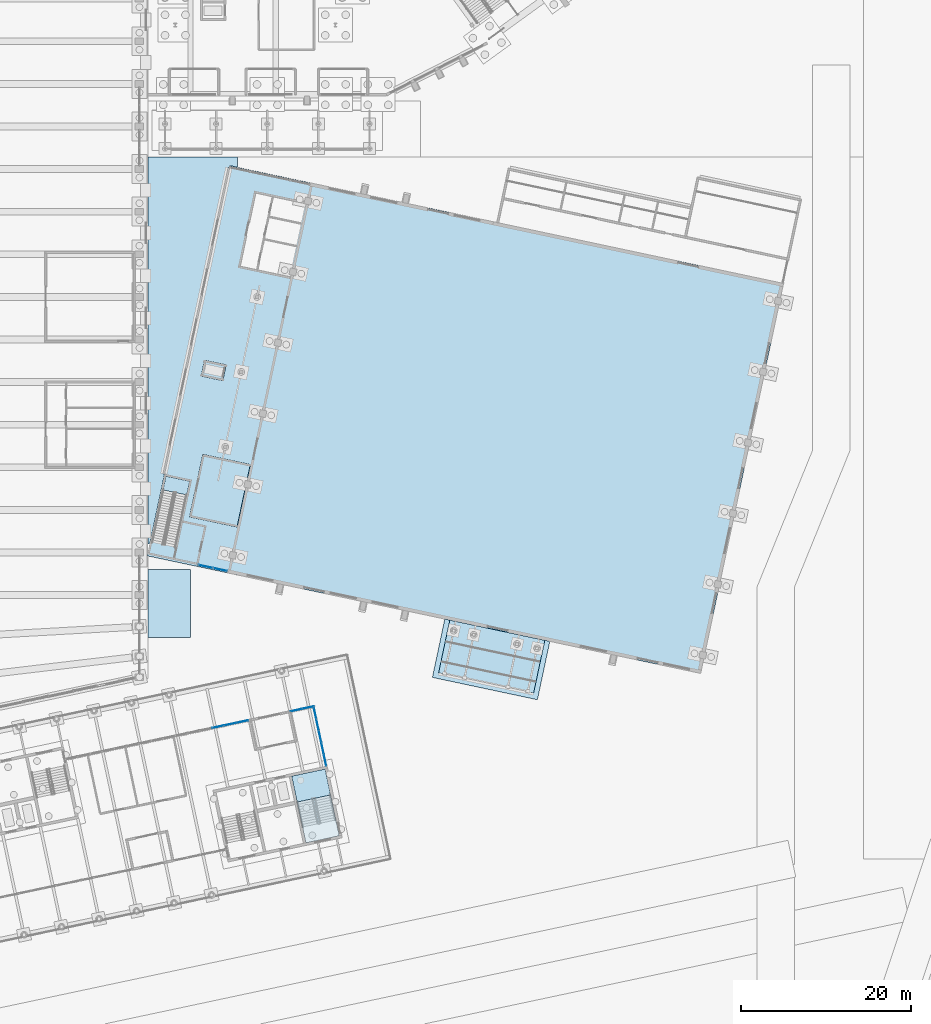
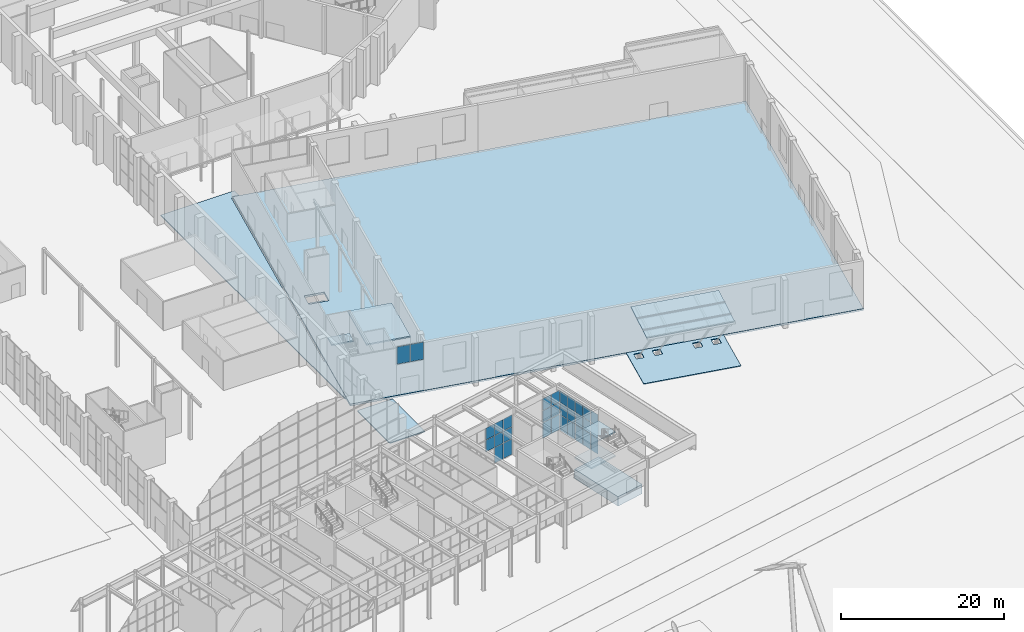
# One storey, part 155 of 239: 31 plates, 11 slabs, 6 elements without a shape of their own.
"""IFC4 building model written with IfcOpenShell, lengths in metres."""

from ifc_helpers import new_model, si_unit, direction, frame, origin, origin_2d, place, context, subcontext, project, spatial, polyline, rectangle, outline, extrude, material, layer, layer_set, type_object, element, aggregate, save


model = new_model("IFC4")

# Units and contexts
model_context = context("Model", 3, precision=1e-05, world=origin(), true_north=direction((0.0, 1.0)))
body_context = subcontext(model_context, "Body", "Model", "MODEL_VIEW")
ifc_project = project(units=[si_unit("LENGTHUNIT", "METRE"), si_unit("AREAUNIT", "SQUARE_METRE"), si_unit("VOLUMEUNIT", "CUBIC_METRE"), si_unit("PLANEANGLEUNIT", "RADIAN"), si_unit("MASSUNIT", "GRAM", prefix="KILO")], contexts=[model_context])

# Site, building, storey
site_placement = place(None, origin())
site = spatial("IfcSite", under=ifc_project, at=site_placement, CompositionType="ELEMENT")
building_placement = place(site_placement, origin())
building = spatial("IfcBuilding", under=site, at=building_placement, Name="Okhra Congress Centre", CompositionType="ELEMENT")
storey_placement = place(building_placement, origin())
storey = spatial("IfcBuildingStorey", under=building, at=storey_placement, Name="L00", CompositionType="ELEMENT", Elevation=0.0)

# Curtain wall, plates
ifc_material_1 = material(Name="Aluminium curtain wall, triple glazing", Category="aluminium")
curtain_wall_type_1 = type_object("IfcCurtainWallType", Name="Curtain wall 1775 module", PredefinedType="NOTDEFINED", material=ifc_material_1)
curtain_wall_1_placement = place(storey_placement, origin())
curtain_wall_1 = element("IfcCurtainWall", 1, at=curtain_wall_1_placement, inside=storey, type_object=curtain_wall_type_1, Name="Foyer south glazing above the doors", PredefinedType="NOTDEFINED")
ifc_material_2 = material(Name="Triple glazing unit, low-e coating, argon fill", Category="glass")
ifc_layer_1 = layer(ifc_material_2, 0.028076171875)
ifc_layer_set_1 = layer_set([ifc_layer_1], Name="Curtain wall glazing unit 28")
plate_type = type_object("IfcPlateType", Name="Curtain wall glazing unit 28", PredefinedType="CURTAIN_PANEL", material=ifc_layer_set_1)
plate_1_placement = place(storey_placement, frame((196.759033203125, 94.35888671875, 4.56005859375), z_axis=(0.0, 0.0, 1.0), x_axis=(0.978147600734, -0.207911690818, 0.0)))
plate_1 = element("IfcPlate", 2, at=plate_1_placement, type_object=plate_type, Name="CW5 panel 1.1", PredefinedType="CURTAIN_PANEL", context=body_context, shape_type="SweptSolid", body=[
    extrude(rectangle(XDim=1.68505859375, YDim=0.028076171875, at=origin_2d()), origin(), (0.0, 0.0, 1.0), 2.580078125),
])
plate_2_placement = place(storey_placement, frame((198.4658203125, 93.99609375, 4.56005859375), z_axis=(0.0, 0.0, 1.0), x_axis=(0.978147600734, -0.207911690818, 0.0)))
plate_2 = element("IfcPlate", 3, at=plate_2_placement, type_object=plate_type, Name="CW5 panel 2.1", PredefinedType="CURTAIN_PANEL", context=body_context, shape_type="SweptSolid", body=[
    extrude(rectangle(XDim=1.68505859375, YDim=0.028076171875, at=origin_2d()), origin(), (0.0, 0.0, 1.0), 2.580078125),
])
aggregate(curtain_wall_1, [plate_1, plate_2])

curtain_wall_type_2 = type_object("IfcCurtainWallType", Name="Curtain wall 1500 module", PredefinedType="NOTDEFINED", material=ifc_material_1)
curtain_wall_2_placement = place(storey_placement, origin())
curtain_wall_2 = element("IfcCurtainWall", 4, at=curtain_wall_2_placement, inside=storey, type_object=curtain_wall_type_2, Name="Ground curtain wall N10", PredefinedType="NOTDEFINED")
plate_3_placement = place(storey_placement, frame((198.21630859375, 75.5458984375, 2.43017578125), z_axis=(0.0, 0.0, 1.0), x_axis=(0.978147600734, 0.207911690818, 0.0)))
plate_3 = element("IfcPlate", 5, at=plate_3_placement, type_object=plate_type, Name="CW7 panel 13.2", PredefinedType="CURTAIN_PANEL", context=body_context, shape_type="SweptSolid", body=[
    extrude(rectangle(XDim=1.404052734375, YDim=0.028076171875, at=origin_2d()), origin(), (0.0, 0.0, 1.0), 1.739990234375),
])
plate_4_placement = place(storey_placement, frame((198.21630859375, 75.5458984375, 4.22998046875), z_axis=(0.0, 0.0, 1.0), x_axis=(0.978147600734, 0.207911690818, 0.0)))
plate_4 = element("IfcPlate", 6, at=plate_4_placement, type_object=plate_type, Name="CW7 panel 13.3", PredefinedType="CURTAIN_PANEL", context=body_context, shape_type="SweptSolid", body=[
    extrude(rectangle(XDim=1.404052734375, YDim=0.028076171875, at=origin_2d()), origin(), (0.0, 0.0, 1.0), 1.760009765625),
])
plate_5_placement = place(storey_placement, frame((199.6484375, 75.850341796875, 0.06005859375), z_axis=(0.0, 0.0, 1.0), x_axis=(0.978147600734, 0.207911690818, 0.0)))
plate_5 = element("IfcPlate", 7, at=plate_5_placement, type_object=plate_type, Name="CW7 panel 14.1", PredefinedType="CURTAIN_PANEL", context=body_context, shape_type="SweptSolid", body=[
    extrude(rectangle(XDim=1.404052734375, YDim=0.028076171875, at=origin_2d()), origin(), (0.0, 0.0, 1.0), 2.31005859375),
])
plate_6_placement = place(storey_placement, frame((199.6484375, 75.850341796875, 2.43017578125), z_axis=(0.0, 0.0, 1.0), x_axis=(0.978147600734, 0.207911690818, 0.0)))
plate_6 = element("IfcPlate", 8, at=plate_6_placement, type_object=plate_type, Name="CW7 panel 14.2", PredefinedType="CURTAIN_PANEL", context=body_context, shape_type="SweptSolid", body=[
    extrude(rectangle(XDim=1.404052734375, YDim=0.028076171875, at=origin_2d()), origin(), (0.0, 0.0, 1.0), 1.739990234375),
])
plate_7_placement = place(storey_placement, frame((199.6484375, 75.850341796875, 4.22998046875), z_axis=(0.0, 0.0, 1.0), x_axis=(0.978147600734, 0.207911690818, 0.0)))
plate_7 = element("IfcPlate", 9, at=plate_7_placement, type_object=plate_type, Name="CW7 panel 14.3", PredefinedType="CURTAIN_PANEL", context=body_context, shape_type="SweptSolid", body=[
    extrude(rectangle(XDim=1.404052734375, YDim=0.028076171875, at=origin_2d()), origin(), (0.0, 0.0, 1.0), 1.760009765625),
])
plate_8_placement = place(storey_placement, frame((201.065673828125, 76.151611328125, 0.06005859375), z_axis=(0.0, 0.0, 1.0), x_axis=(0.978147600734, 0.207911690818, 0.0)))
plate_8 = element("IfcPlate", 10, at=plate_8_placement, type_object=plate_type, Name="CW7 panel 15.1", PredefinedType="CURTAIN_PANEL", context=body_context, shape_type="SweptSolid", body=[
    extrude(rectangle(XDim=1.3740234375, YDim=0.028076171875, at=origin_2d()), origin(), (0.0, 0.0, 1.0), 2.31005859375),
])
plate_9_placement = place(storey_placement, frame((201.065673828125, 76.151611328125, 2.43017578125), z_axis=(0.0, 0.0, 1.0), x_axis=(0.978147600734, 0.207911690818, 0.0)))
plate_9 = element("IfcPlate", 11, at=plate_9_placement, type_object=plate_type, Name="CW7 panel 15.2", PredefinedType="CURTAIN_PANEL", context=body_context, shape_type="SweptSolid", body=[
    extrude(rectangle(XDim=1.3740234375, YDim=0.028076171875, at=origin_2d()), origin(), (0.0, 0.0, 1.0), 1.739990234375),
])
plate_10_placement = place(storey_placement, frame((201.065673828125, 76.151611328125, 4.22998046875), z_axis=(0.0, 0.0, 1.0), x_axis=(0.978147600734, 0.207911690818, 0.0)))
plate_10 = element("IfcPlate", 12, at=plate_10_placement, type_object=plate_type, Name="CW7 panel 15.3", PredefinedType="CURTAIN_PANEL", context=body_context, shape_type="SweptSolid", body=[
    extrude(rectangle(XDim=1.3740234375, YDim=0.028076171875, at=origin_2d()), origin(), (0.0, 0.0, 1.0), 1.760009765625),
])
aggregate(curtain_wall_2, [plate_3, plate_4, plate_5, plate_6, plate_7, plate_8, plate_9, plate_10])

curtain_wall_3_placement = place(storey_placement, origin())
curtain_wall_3 = element("IfcCurtainWall", 13, at=curtain_wall_3_placement, inside=storey, type_object=curtain_wall_type_2, Name="Ground curtain wall N11", PredefinedType="NOTDEFINED")
plate_11_placement = place(storey_placement, frame((207.410888671875, 77.500244140625, 0.06005859375), z_axis=(0.0, 0.0, 1.0), x_axis=(0.978147600734, 0.207911690818, 0.0)))
plate_11 = element("IfcPlate", 14, at=plate_11_placement, type_object=plate_type, Name="CW7 panel 1.1", PredefinedType="CURTAIN_PANEL", context=body_context, shape_type="SweptSolid", body=[
    extrude(rectangle(XDim=1.360107421875, YDim=0.028076171875, at=origin_2d()), origin(), (0.0, 0.0, 1.0), 2.31005859375),
])
plate_12_placement = place(storey_placement, frame((207.410888671875, 77.500244140625, 2.43017578125), z_axis=(0.0, 0.0, 1.0), x_axis=(0.978147600734, 0.207911690818, 0.0)))
plate_12 = element("IfcPlate", 15, at=plate_12_placement, type_object=plate_type, Name="CW7 panel 1.2", PredefinedType="CURTAIN_PANEL", context=body_context, shape_type="SweptSolid", body=[
    extrude(rectangle(XDim=1.360107421875, YDim=0.028076171875, at=origin_2d()), origin(), (0.0, 0.0, 1.0), 1.739990234375),
])
plate_13_placement = place(storey_placement, frame((207.410888671875, 77.500244140625, 4.22998046875), z_axis=(0.0, 0.0, 1.0), x_axis=(0.978147600734, 0.207911690818, 0.0)))
plate_13 = element("IfcPlate", 16, at=plate_13_placement, type_object=plate_type, Name="CW7 panel 1.3", PredefinedType="CURTAIN_PANEL", context=body_context, shape_type="SweptSolid", body=[
    extrude(rectangle(XDim=1.360107421875, YDim=0.028076171875, at=origin_2d()), origin(), (0.0, 0.0, 1.0), 1.760009765625),
])
plate_14_placement = place(storey_placement, frame((208.7998046875, 77.79541015625, 0.06005859375), z_axis=(0.0, 0.0, 1.0), x_axis=(0.978147600734, 0.207911690818, 0.0)))
plate_14 = element("IfcPlate", 17, at=plate_14_placement, type_object=plate_type, Name="CW7 panel 2.1", PredefinedType="CURTAIN_PANEL", context=body_context, shape_type="SweptSolid", body=[
    extrude(rectangle(XDim=1.360107421875, YDim=0.028076171875, at=origin_2d()), origin(), (0.0, 0.0, 1.0), 2.31005859375),
])
plate_15_placement = place(storey_placement, frame((208.7998046875, 77.79541015625, 2.43017578125), z_axis=(0.0, 0.0, 1.0), x_axis=(0.978147600734, 0.207911690818, 0.0)))
plate_15 = element("IfcPlate", 18, at=plate_15_placement, type_object=plate_type, Name="CW7 panel 2.2", PredefinedType="CURTAIN_PANEL", context=body_context, shape_type="SweptSolid", body=[
    extrude(rectangle(XDim=1.360107421875, YDim=0.028076171875, at=origin_2d()), origin(), (0.0, 0.0, 1.0), 1.739990234375),
])
plate_16_placement = place(storey_placement, frame((208.7998046875, 77.79541015625, 4.22998046875), z_axis=(0.0, 0.0, 1.0), x_axis=(0.978147600734, 0.207911690818, 0.0)))
plate_16 = element("IfcPlate", 19, at=plate_16_placement, type_object=plate_type, Name="CW7 panel 2.3", PredefinedType="CURTAIN_PANEL", context=body_context, shape_type="SweptSolid", body=[
    extrude(rectangle(XDim=1.360107421875, YDim=0.028076171875, at=origin_2d()), origin(), (0.0, 0.0, 1.0), 1.760009765625),
])
aggregate(curtain_wall_3, [plate_11, plate_12, plate_13, plate_14, plate_15, plate_16])

curtain_wall_4_placement = place(storey_placement, origin())
curtain_wall_4 = element("IfcCurtainWall", 20, at=curtain_wall_4_placement, inside=storey, type_object=curtain_wall_type_2, Name="Ground curtain wall E13", PredefinedType="NOTDEFINED")
plate_17_placement = place(storey_placement, frame((210.78564453125, 71.62744140625, 0.06005859375), z_axis=(0.0, 0.0, 1.0), x_axis=(-0.207911690818, 0.978147600734, 0.0)))
plate_17 = element("IfcPlate", 21, at=plate_17_placement, type_object=plate_type, Name="CW7 panel 1.1", PredefinedType="CURTAIN_PANEL", context=body_context, shape_type="SweptSolid", body=[
    extrude(rectangle(XDim=1.327880859375, YDim=0.028076171875, at=origin_2d()), origin(), (0.0, 0.0, 1.0), 2.31005859375),
])
plate_18_placement = place(storey_placement, frame((210.78564453125, 71.62744140625, 2.43017578125), z_axis=(0.0, 0.0, 1.0), x_axis=(-0.207911690818, 0.978147600734, 0.0)))
plate_18 = element("IfcPlate", 22, at=plate_18_placement, type_object=plate_type, Name="CW7 panel 1.2", PredefinedType="CURTAIN_PANEL", context=body_context, shape_type="SweptSolid", body=[
    extrude(rectangle(XDim=1.327880859375, YDim=0.028076171875, at=origin_2d()), origin(), (0.0, 0.0, 1.0), 1.739990234375),
])
plate_19_placement = place(storey_placement, frame((210.78564453125, 71.62744140625, 4.22998046875), z_axis=(0.0, 0.0, 1.0), x_axis=(-0.207911690818, 0.978147600734, 0.0)))
plate_19 = element("IfcPlate", 23, at=plate_19_placement, type_object=plate_type, Name="CW7 panel 1.3", PredefinedType="CURTAIN_PANEL", context=body_context, shape_type="SweptSolid", body=[
    extrude(rectangle(XDim=1.327880859375, YDim=0.028076171875, at=origin_2d()), origin(), (0.0, 0.0, 1.0), 1.760009765625),
])
plate_20_placement = place(storey_placement, frame((210.493896484375, 72.999755859375, 0.06005859375), z_axis=(0.0, 0.0, 1.0), x_axis=(-0.207911690818, 0.978147600734, 0.0)))
plate_20 = element("IfcPlate", 24, at=plate_20_placement, type_object=plate_type, Name="CW7 panel 2.1", PredefinedType="CURTAIN_PANEL", context=body_context, shape_type="SweptSolid", body=[
    extrude(rectangle(XDim=1.35791015625, YDim=0.028076171875, at=origin_2d()), origin(), (0.0, 0.0, 1.0), 2.31005859375),
])
plate_21_placement = place(storey_placement, frame((210.493896484375, 72.999755859375, 2.43017578125), z_axis=(0.0, 0.0, 1.0), x_axis=(-0.207911690818, 0.978147600734, 0.0)))
plate_21 = element("IfcPlate", 25, at=plate_21_placement, type_object=plate_type, Name="CW7 panel 2.2", PredefinedType="CURTAIN_PANEL", context=body_context, shape_type="SweptSolid", body=[
    extrude(rectangle(XDim=1.35791015625, YDim=0.028076171875, at=origin_2d()), origin(), (0.0, 0.0, 1.0), 1.739990234375),
])
plate_22_placement = place(storey_placement, frame((210.493896484375, 72.999755859375, 4.22998046875), z_axis=(0.0, 0.0, 1.0), x_axis=(-0.207911690818, 0.978147600734, 0.0)))
plate_22 = element("IfcPlate", 26, at=plate_22_placement, type_object=plate_type, Name="CW7 panel 2.3", PredefinedType="CURTAIN_PANEL", context=body_context, shape_type="SweptSolid", body=[
    extrude(rectangle(XDim=1.35791015625, YDim=0.028076171875, at=origin_2d()), origin(), (0.0, 0.0, 1.0), 1.760009765625),
])
plate_23_placement = place(storey_placement, frame((210.19921875, 74.386962890625, 0.06005859375), z_axis=(0.0, 0.0, 1.0), x_axis=(-0.207911690818, 0.978147600734, 0.0)))
plate_23 = element("IfcPlate", 27, at=plate_23_placement, type_object=plate_type, Name="CW7 panel 3.1", PredefinedType="CURTAIN_PANEL", context=body_context, shape_type="SweptSolid", body=[
    extrude(rectangle(XDim=1.35791015625, YDim=0.028076171875, at=origin_2d()), origin(), (0.0, 0.0, 1.0), 2.31005859375),
])
plate_24_placement = place(storey_placement, frame((210.19921875, 74.386962890625, 2.43017578125), z_axis=(0.0, 0.0, 1.0), x_axis=(-0.207911690818, 0.978147600734, 0.0)))
plate_24 = element("IfcPlate", 28, at=plate_24_placement, type_object=plate_type, Name="CW7 panel 3.2", PredefinedType="CURTAIN_PANEL", context=body_context, shape_type="SweptSolid", body=[
    extrude(rectangle(XDim=1.35791015625, YDim=0.028076171875, at=origin_2d()), origin(), (0.0, 0.0, 1.0), 1.739990234375),
])
plate_25_placement = place(storey_placement, frame((210.19921875, 74.386962890625, 4.22998046875), z_axis=(0.0, 0.0, 1.0), x_axis=(-0.207911690818, 0.978147600734, 0.0)))
plate_25 = element("IfcPlate", 29, at=plate_25_placement, type_object=plate_type, Name="CW7 panel 3.3", PredefinedType="CURTAIN_PANEL", context=body_context, shape_type="SweptSolid", body=[
    extrude(rectangle(XDim=1.35791015625, YDim=0.028076171875, at=origin_2d()), origin(), (0.0, 0.0, 1.0), 1.760009765625),
])
plate_26_placement = place(storey_placement, frame((209.904296875, 75.77392578125, 0.06005859375), z_axis=(0.0, 0.0, 1.0), x_axis=(-0.207911690818, 0.978147600734, 0.0)))
plate_26 = element("IfcPlate", 30, at=plate_26_placement, type_object=plate_type, Name="CW7 panel 4.1", PredefinedType="CURTAIN_PANEL", context=body_context, shape_type="SweptSolid", body=[
    extrude(rectangle(XDim=1.35791015625, YDim=0.028076171875, at=origin_2d()), origin(), (0.0, 0.0, 1.0), 2.31005859375),
])
plate_27_placement = place(storey_placement, frame((209.904296875, 75.77392578125, 2.43017578125), z_axis=(0.0, 0.0, 1.0), x_axis=(-0.207911690818, 0.978147600734, 0.0)))
plate_27 = element("IfcPlate", 31, at=plate_27_placement, type_object=plate_type, Name="CW7 panel 4.2", PredefinedType="CURTAIN_PANEL", context=body_context, shape_type="SweptSolid", body=[
    extrude(rectangle(XDim=1.35791015625, YDim=0.028076171875, at=origin_2d()), origin(), (0.0, 0.0, 1.0), 1.739990234375),
])
plate_28_placement = place(storey_placement, frame((209.904296875, 75.77392578125, 4.22998046875), z_axis=(0.0, 0.0, 1.0), x_axis=(-0.207911690818, 0.978147600734, 0.0)))
plate_28 = element("IfcPlate", 32, at=plate_28_placement, type_object=plate_type, Name="CW7 panel 4.3", PredefinedType="CURTAIN_PANEL", context=body_context, shape_type="SweptSolid", body=[
    extrude(rectangle(XDim=1.35791015625, YDim=0.028076171875, at=origin_2d()), origin(), (0.0, 0.0, 1.0), 1.760009765625),
])
plate_29_placement = place(storey_placement, frame((209.612548828125, 77.146240234375, 0.06005859375), z_axis=(0.0, 0.0, 1.0), x_axis=(-0.207911690818, 0.978147600734, 0.0)))
plate_29 = element("IfcPlate", 33, at=plate_29_placement, type_object=plate_type, Name="CW7 panel 5.1", PredefinedType="CURTAIN_PANEL", context=body_context, shape_type="SweptSolid", body=[
    extrude(rectangle(XDim=1.327880859375, YDim=0.028076171875, at=origin_2d()), origin(), (0.0, 0.0, 1.0), 2.31005859375),
])
plate_30_placement = place(storey_placement, frame((209.612548828125, 77.146240234375, 2.43017578125), z_axis=(0.0, 0.0, 1.0), x_axis=(-0.207911690818, 0.978147600734, 0.0)))
plate_30 = element("IfcPlate", 34, at=plate_30_placement, type_object=plate_type, Name="CW7 panel 5.2", PredefinedType="CURTAIN_PANEL", context=body_context, shape_type="SweptSolid", body=[
    extrude(rectangle(XDim=1.327880859375, YDim=0.028076171875, at=origin_2d()), origin(), (0.0, 0.0, 1.0), 1.739990234375),
])
plate_31_placement = place(storey_placement, frame((209.612548828125, 77.146240234375, 4.22998046875), z_axis=(0.0, 0.0, 1.0), x_axis=(-0.207911690818, 0.978147600734, 0.0)))
plate_31 = element("IfcPlate", 35, at=plate_31_placement, type_object=plate_type, Name="CW7 panel 5.3", PredefinedType="CURTAIN_PANEL", context=body_context, shape_type="SweptSolid", body=[
    extrude(rectangle(XDim=1.327880859375, YDim=0.028076171875, at=origin_2d()), origin(), (0.0, 0.0, 1.0), 1.760009765625),
])
aggregate(curtain_wall_4, [plate_17, plate_18, plate_19, plate_20, plate_21, plate_22, plate_23, plate_24, plate_25, plate_26, plate_27, plate_28, plate_29, plate_30, plate_31])

# Slabs
ifc_material_3 = material(Name="Insulated metal roof panel (mineral wool core), standing seam")
ifc_layer_2 = layer(ifc_material_3, 0.14990234375)
ifc_layer_set_2 = layer_set([ifc_layer_2], Name="Insulated roof panel 150")
slab_type_1 = type_object("IfcSlabType", Name="Insulated roof panel 150", PredefinedType="ROOF", material=ifc_layer_set_2)
slab_1_placement = place(storey_placement, frame((224.109619140625, 81.879638671875, 6.358154296875), z_axis=(-0.014501379584, -0.068225794305, 0.997564509684), x_axis=(0.978148943882, -0.207905371704, 0.0)))
element("IfcSlab", 36, at=slab_1_placement, inside=storey, type_object=slab_type_1, Name="Ballroom entrance canopy roof panel", PredefinedType="ROOF", context=body_context, shape_type="SweptSolid", body=[
    extrude(outline(polyline([(0.0, 0.0), (11.399980520348889, 0.0), (11.399986794532744, 6.335414243977003), (6.27418385512689e-06, 6.335414243977004), (0.0, 0.0)])), origin(), (0.0, 0.0, -1.0), 0.14990234375),
])
ifc_material_4 = material(Name="Concrete C30/37", Category="concrete")
ifc_layer_3 = layer(ifc_material_4, 0.14990234375)
ifc_layer_set_3 = layer_set([ifc_layer_3], Name="Paving slab 150 C30/37")
slab_type_2 = type_object("IfcSlabType", Name="Paving slab 150 C30/37", PredefinedType="BASESLAB", material=ifc_layer_set_3)
slab_2_placement = place(storey_placement, frame((0.0, 0.0, -0.14990234375)))
element("IfcSlab", 37, at=slab_2_placement, inside=storey, type_object=slab_type_2, Name="Ballroom entrance apron", PredefinedType="BASESLAB", context=body_context, shape_type="SweptSolid", body=[
    extrude(outline(polyline([(223.38134765625, 81.33935546875), (235.7060546875, 78.719482421875), (237.161376953125, 85.566650390625), (224.836669921875, 88.186279296875), (223.38134765625, 81.33935546875)]), holes=[polyline([(225.276123046875, 86.406005859375), (226.25439453125, 86.197998046875), (226.48291015625, 87.274169921875), (225.5048828125, 87.48193359375), (225.276123046875, 86.406005859375)]), polyline([(227.623779296875, 85.906982421875), (228.601806640625, 85.69921875), (228.83056640625, 86.775146484375), (227.8525390625, 86.98291015625), (227.623779296875, 85.906982421875)]), polyline([(232.710205078125, 84.825927734375), (233.688232421875, 84.617919921875), (233.9169921875, 85.69384765625), (232.938720703125, 85.90185546875), (232.710205078125, 84.825927734375)]), polyline([(235.0576171875, 84.326904296875), (236.035888671875, 84.118896484375), (236.264404296875, 85.195068359375), (235.286376953125, 85.40283203125), (235.0576171875, 84.326904296875)])]), origin(), (0.0, 0.0, 1.0), 0.14990234375),
])
slab_3_placement = place(storey_placement, frame((0.0, 0.0, -0.14990234375)))
element("IfcSlab", 38, at=slab_3_placement, inside=storey, type_object=slab_type_2, Name="Winter Garden East Alley paving", PredefinedType="BASESLAB", context=body_context, shape_type="SweptSolid", body=[
    extrude(outline(polyline([(199.391845703125, 141.195068359375), (199.58740234375, 141.1533203125), (199.639404296875, 141.39794921875), (200.5, 141.215087890625), (200.5, 142.39990234375), (190.010009765625, 142.39990234375), (190.010009765625, 97.013427734375), (190.200927734375, 96.993408203125), (191.9423828125, 105.18701171875), (191.746826171875, 105.228515625), (199.391845703125, 141.195068359375)])), origin(), (0.0, 0.0, 1.0), 0.14990234375),
])
slab_4_placement = place(storey_placement, frame((0.0, 0.0, -0.14990234375)))
element("IfcSlab", 39, at=slab_4_placement, inside=storey, type_object=slab_type_2, Name="Winter Garden East Apron South paving", PredefinedType="BASESLAB", context=body_context, shape_type="SweptSolid", body=[
    extrude(outline(polyline([(190.010009765625, 86.0), (195.0, 86.0), (195.0, 94.0), (190.010009765625, 94.0), (190.010009765625, 86.0)])), origin(), (0.0, 0.0, 1.0), 0.14990234375),
])
ifc_material_5 = material(Name="Concrete C35/45", Category="concrete")
ifc_layer_4 = layer(ifc_material_5, 1.39990234375)
ifc_layer_set_4 = layer_set([ifc_layer_4], Name="RC core raft slab 1400 C35/45")
slab_type_3 = type_object("IfcSlabType", Name="RC core raft slab 1400 C35/45", PredefinedType="BASESLAB", material=ifc_layer_set_4)
slab_5_placement = place(storey_placement, frame((0.0, 0.0, -1.39990234375)))
element("IfcSlab", 40, at=slab_5_placement, inside=storey, type_object=slab_type_3, Name="Stair cell raft 5B", PredefinedType="BASESLAB", context=body_context, shape_type="SweptSolid", body=[
    extrude(outline(polyline([(212.44677734375, 62.7548828125), (210.783447265625, 70.580078125), (206.870849609375, 69.74853515625), (208.5341796875, 61.92333984375), (212.44677734375, 62.7548828125)])), origin(), (0.0, 0.0, 1.0), 1.39990234375),
])
ifc_material_6 = material(Name="Concrete C25/30", Category="concrete")
ifc_layer_5 = layer(ifc_material_6, 0.300048828125)
ifc_layer_set_5 = layer_set([ifc_layer_5], Name="RC ground slab 300 C25/30")
slab_type_4 = type_object("IfcSlabType", Name="RC ground slab 300 C25/30", PredefinedType="BASESLAB", material=ifc_layer_set_5)
slab_6_placement = place(storey_placement, frame((0.0, 0.0, -0.300048828125)))
element("IfcSlab", 41, at=slab_6_placement, inside=storey, type_object=slab_type_4, Name="Ballroom ground slab", PredefinedType="BASESLAB", context=body_context, shape_type="SweptSolid", body=[
    extrude(outline(polyline([(189.916748046875, 95.608642578125), (254.86572265625, 81.803466796875), (264.59619140625, 127.580810546875), (199.647216796875, 141.385986328125), (189.916748046875, 95.608642578125)]), holes=[polyline([(196.2412109375, 116.704833984375), (198.784423828125, 116.164306640625), (199.179443359375, 118.022705078125), (196.63623046875, 118.563232421875), (196.2412109375, 116.704833984375)])]), origin(), (0.0, 0.0, 1.0), 0.300048828125),
])
ifc_layer_6 = layer(ifc_material_6, 0.300048828125)
ifc_layer_set_6 = layer_set([ifc_layer_6], Name="RC lift pit slab 300 C25/30")
slab_type_5 = type_object("IfcSlabType", Name="RC lift pit slab 300 C25/30", PredefinedType="BASESLAB", material=ifc_layer_set_6)
slab_7_placement = place(storey_placement, frame((0.0, 0.0, -1.5)))
element("IfcSlab", 42, at=slab_7_placement, inside=storey, type_object=slab_type_5, Name="Gallery lift pit slab", PredefinedType="BASESLAB", context=body_context, shape_type="SweptSolid", body=[
    extrude(outline(polyline([(196.2412109375, 116.704833984375), (198.784423828125, 116.164306640625), (199.179443359375, 118.022705078125), (196.63623046875, 118.563232421875), (196.2412109375, 116.704833984375)])), origin(), (0.0, 0.0, 1.0), 0.300048828125),
])
ifc_layer_7 = layer(ifc_material_4, 0.199951171875)
ifc_layer_set_7 = layer_set([ifc_layer_7], Name="RC roof slab 200 C30/37")
slab_type_6 = type_object("IfcSlabType", Name="RC roof slab 200 C30/37", PredefinedType="ROOF", material=ifc_layer_set_7)
slab_8_placement = place(storey_placement, frame((0.0, 0.0, 4.300048828125)))
element("IfcSlab", 43, at=slab_8_placement, inside=storey, type_object=slab_type_6, Name="Cloakroom roof slab", PredefinedType="ROOF", context=body_context, shape_type="SweptSolid", body=[
    extrude(outline(polyline([(194.875244140625, 100.177734375), (200.45068359375, 98.99267578125), (202.010009765625, 106.32861328125), (196.4345703125, 107.513916015625), (194.875244140625, 100.177734375)])), origin(), (0.0, 0.0, 1.0), 0.199951171875),
])

# Stair, slabs
stair_type_1 = type_object("IfcStairType", Name="Escape stair 1900 wide, 44 risers of 163.6", PredefinedType="HALF_TURN_STAIR", material=ifc_material_4)
stair_1_placement = place(storey_placement, origin())
stair_1 = element("IfcStair", 44, at=stair_1_placement, inside=storey, type_object=stair_type_1, Name="L00 Escape stair 5B", PredefinedType="HALF_TURN_STAIR")
ifc_layer_8 = layer(ifc_material_4, 0.199951171875)
ifc_layer_set_8 = layer_set([ifc_layer_8], Name="RC stair landing 200 C30/37")
slab_type_7 = type_object("IfcSlabType", Name="RC stair landing 200 C30/37", PredefinedType="LANDING", material=ifc_layer_set_8)
slab_9_placement = place(storey_placement, frame((0.0, 0.0, 1.60009765625)))
slab_9 = element("IfcSlab", 45, at=slab_9_placement, type_object=slab_type_7, Name="BS5B landing 1", PredefinedType="LANDING", context=body_context, shape_type="SweptSolid", body=[
    extrude(outline(polyline([(211.433837890625, 67.5439453125), (207.511474609375, 66.71044921875), (206.864990234375, 69.75244140625), (210.787353515625, 70.586181640625), (211.433837890625, 67.5439453125)])), origin(), (0.0, 0.0, 1.0), 0.199951171875),
])
slab_10_placement = place(storey_placement, frame((0.0, 0.0, 5.199951171875)))
slab_10 = element("IfcSlab", 46, at=slab_10_placement, type_object=slab_type_7, Name="BS5B landing 3", PredefinedType="LANDING", context=body_context, shape_type="SweptSolid", body=[
    extrude(outline(polyline([(211.433837890625, 67.5439453125), (207.511474609375, 66.71044921875), (206.864990234375, 69.75244140625), (210.787353515625, 70.586181640625), (211.433837890625, 67.5439453125)])), origin(), (0.0, 0.0, 1.0), 0.199951171875),
])
aggregate(stair_1, [slab_9, slab_10])

# Stair, slab
stair_type_2 = type_object("IfcStairType", Name="Escape stair 1350 wide, 44 risers of 163.6", PredefinedType="HALF_TURN_STAIR", material=ifc_material_4)
stair_2_placement = place(storey_placement, origin())
stair_2 = element("IfcStair", 47, at=stair_2_placement, inside=storey, type_object=stair_type_2, Name="L00 Gallery Stair", PredefinedType="HALF_TURN_STAIR")
slab_11_placement = place(storey_placement, frame((0.0, 0.0, 3.39990234375)))
slab_11 = element("IfcSlab", 48, at=slab_11_placement, type_object=slab_type_7, Name="BG1 landing 1", PredefinedType="LANDING", context=body_context, shape_type="SweptSolid", body=[
    extrude(outline(polyline([(194.552978515625, 102.7509765625), (194.896240234375, 104.36474609375), (192.1083984375, 104.957275390625), (191.765380859375, 103.343505859375), (194.552978515625, 102.7509765625)])), origin(), (0.0, 0.0, 1.0), 0.2001953125),
])
aggregate(stair_2, [slab_11])

save(model, "model.ifc")
